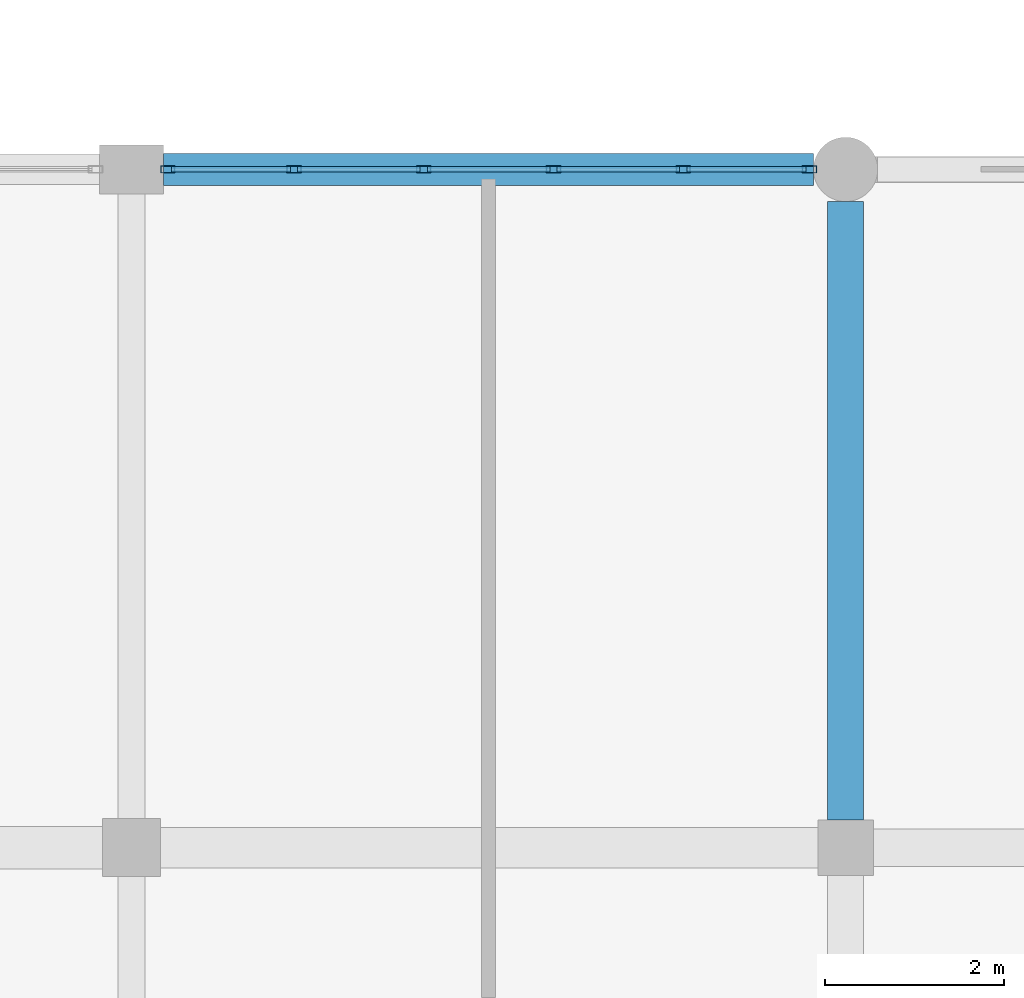
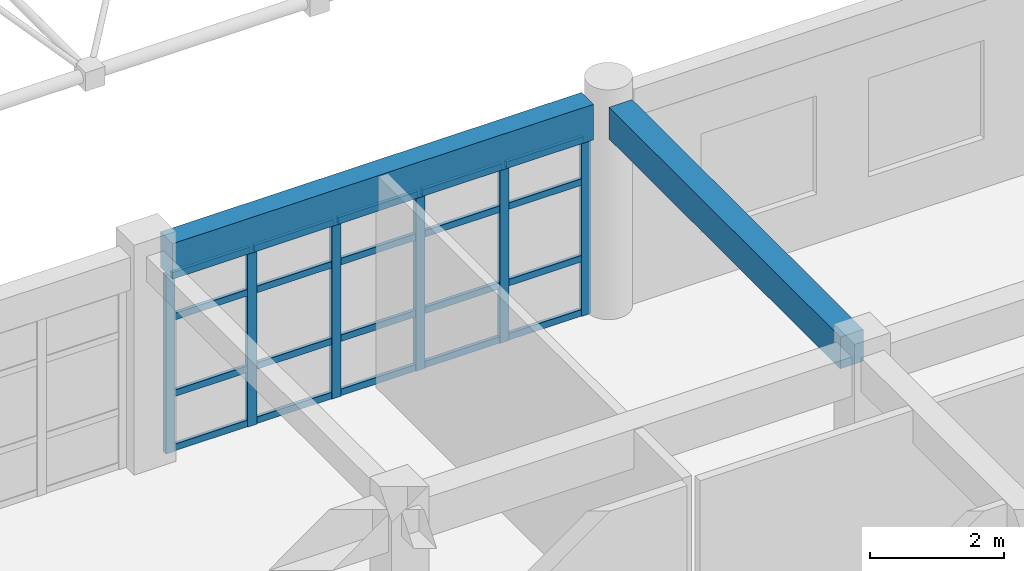
# One storey, part 40 of 195: 26 members, 2 beams, 1 element without a shape of its own.
"""IFC4 building model written with IfcOpenShell, lengths in metres."""

from ifc_helpers import new_model, si_unit, direction, frame, origin, origin_2d, place, context, subcontext, project, spatial, rectangle, hollow_rectangle, extrude, material, material_profile, profile_set, type_object, element, aggregate, save


model = new_model("IFC4")

# Units and contexts
model_context = context("Model", 3, precision=1e-05, world=origin(), true_north=direction((0.0, 1.0)))
body_context = subcontext(model_context, "Body", "Model", "MODEL_VIEW")
ifc_project = project(units=[si_unit("LENGTHUNIT", "METRE"), si_unit("AREAUNIT", "SQUARE_METRE"), si_unit("VOLUMEUNIT", "CUBIC_METRE"), si_unit("PLANEANGLEUNIT", "RADIAN"), si_unit("MASSUNIT", "GRAM", prefix="KILO")], contexts=[model_context])

# Site, building, storey
site_placement = place(None, origin())
site = spatial("IfcSite", under=ifc_project, at=site_placement, CompositionType="ELEMENT")
building_placement = place(site_placement, origin())
building = spatial("IfcBuilding", under=site, at=building_placement, Name="Kharva Crest Polytechnic", CompositionType="ELEMENT")
storey_placement = place(building_placement, frame((0.0, 0.0, 9.0)))
storey = spatial("IfcBuildingStorey", under=building, at=storey_placement, Name="L02", CompositionType="ELEMENT", Elevation=9.0)

# Beam
ifc_material_1 = material(Name="Concrete C35/45", Category="concrete")
ifc_material_profile_1 = material_profile(ifc_material_1, rectangle(XDim=0.39990234375, YDim=0.580078125, at=origin_2d()), Name="RECT 400 X 580")
ifc_profile_set_1 = profile_set([ifc_material_profile_1], Name="Concrete C35/45")
beam_type_1 = type_object("IfcBeamType", Name="BM-RC-400X580", PredefinedType="BEAM", material=ifc_profile_set_1)
beam_1_placement = place(storey_placement, frame((24.0, 23.110107421875, 3.6298828125), z_axis=(0.0, 1.0, 0.0), x_axis=(-1.0, 0.0, 0.0)))
element("IfcBeam", 1, at=beam_1_placement, inside=storey, type_object=beam_type_1, Name="L02 Girder 4/D-E", PredefinedType="BEAM", context=body_context, shape_type="SweptSolid", body=[
    extrude(rectangle(XDim=0.39990234375, YDim=0.580078125, at=origin_2d()), origin(), (0.0, 0.0, 1.0), 6.929931640625),
])

# Curtain wall, members
ifc_material_2 = material(Name="Tempered insulated glass", Category="glass")
curtain_wall_type = type_object("IfcCurtainWallType", Name="CW-SYS-COURT", PredefinedType="USERDEFINED", material=ifc_material_2)
curtain_wall_placement = place(storey_placement, origin())
curtain_wall = element("IfcCurtainWall", 2, at=curtain_wall_placement, inside=storey, type_object=curtain_wall_type, Name="L02 Glazed Curtain Wall CW-089", ObjectType="CURTAIN WALL", PredefinedType="USERDEFINED")
ifc_material_3 = material(Name="Steel S355", Category="steel")
ifc_material_profile_2 = material_profile(ifc_material_3, hollow_rectangle(XDim=0.080078125, YDim=0.159912109375, WallThickness=0.0048828125, at=origin_2d()), Name="RHS 160X80X5.0")
ifc_profile_set_2 = profile_set([ifc_material_profile_2], Name="Steel S355")
member_type_1 = type_object("IfcMemberType", Name="CWM-RHS160X80", PredefinedType="MULLION", material=ifc_profile_set_2)
member_1_placement = place(storey_placement, frame((23.594970703125, 30.39990234375, 0.0), z_axis=(0.0, 0.0, 1.0), x_axis=(0.0, -1.0, 0.0)))
member_1 = element("IfcMember", 3, at=member_1_placement, type_object=member_type_1, Name="CW-089 mullion 1", PredefinedType="MULLION", context=body_context, shape_type="SweptSolid", body=[
    extrude(hollow_rectangle(XDim=0.080078125, YDim=0.159912109375, WallThickness=0.0048828125, at=origin_2d()), origin(), (0.0, 0.0, 1.0), 3.27001953125),
])
member_2_placement = place(storey_placement, frame((22.180908203125, 30.39990234375, 0.0), z_axis=(0.0, 0.0, 1.0), x_axis=(0.0, -1.0, 0.0)))
member_2 = element("IfcMember", 4, at=member_2_placement, type_object=member_type_1, Name="CW-089 mullion 2", PredefinedType="MULLION", context=body_context, shape_type="SweptSolid", body=[
    extrude(hollow_rectangle(XDim=0.080078125, YDim=0.159912109375, WallThickness=0.0048828125, at=origin_2d()), origin(), (0.0, 0.0, 1.0), 3.27001953125),
])
member_3_placement = place(storey_placement, frame((20.72705078125, 30.39990234375, 0.0), z_axis=(0.0, 0.0, 1.0), x_axis=(0.0, -1.0, 0.0)))
member_3 = element("IfcMember", 5, at=member_3_placement, type_object=member_type_1, Name="CW-089 mullion 3", PredefinedType="MULLION", context=body_context, shape_type="SweptSolid", body=[
    extrude(hollow_rectangle(XDim=0.080078125, YDim=0.159912109375, WallThickness=0.0048828125, at=origin_2d()), origin(), (0.0, 0.0, 1.0), 3.27001953125),
])
member_4_placement = place(storey_placement, frame((19.27294921875, 30.39990234375, 0.0), z_axis=(0.0, 0.0, 1.0), x_axis=(0.0, -1.0, 0.0)))
member_4 = element("IfcMember", 6, at=member_4_placement, type_object=member_type_1, Name="CW-089 mullion 4", PredefinedType="MULLION", context=body_context, shape_type="SweptSolid", body=[
    extrude(hollow_rectangle(XDim=0.080078125, YDim=0.159912109375, WallThickness=0.0048828125, at=origin_2d()), origin(), (0.0, 0.0, 1.0), 3.27001953125),
])
member_5_placement = place(storey_placement, frame((17.819091796875, 30.39990234375, 0.0), z_axis=(0.0, 0.0, 1.0), x_axis=(0.0, -1.0, 0.0)))
member_5 = element("IfcMember", 7, at=member_5_placement, type_object=member_type_1, Name="CW-089 mullion 5", PredefinedType="MULLION", context=body_context, shape_type="SweptSolid", body=[
    extrude(hollow_rectangle(XDim=0.080078125, YDim=0.159912109375, WallThickness=0.0048828125, at=origin_2d()), origin(), (0.0, 0.0, 1.0), 3.27001953125),
])
member_6_placement = place(storey_placement, frame((16.405029296875, 30.39990234375, 0.0), z_axis=(0.0, 0.0, 1.0), x_axis=(0.0, -1.0, 0.0)))
member_6 = element("IfcMember", 8, at=member_6_placement, type_object=member_type_1, Name="CW-089 mullion 6", PredefinedType="MULLION", context=body_context, shape_type="SweptSolid", body=[
    extrude(hollow_rectangle(XDim=0.080078125, YDim=0.159912109375, WallThickness=0.0048828125, at=origin_2d()), origin(), (0.0, 0.0, 1.0), 3.27001953125),
])
ifc_material_profile_3 = material_profile(ifc_material_3, hollow_rectangle(XDim=0.06005859375, YDim=0.1201171875, WallThickness=0.00390625, at=origin_2d()), Name="RHS 120X60X4.0")
ifc_profile_set_3 = profile_set([ifc_material_profile_3], Name="Steel S355")
member_type_2 = type_object("IfcMemberType", Name="CWT-RHS120X60", PredefinedType="USERDEFINED", material=ifc_profile_set_3)
member_7_placement = place(storey_placement, frame((23.554931640625, 30.39990234375, 0.06005859375), z_axis=(-1.0, 0.0, 0.0), x_axis=(0.0, -1.0, 0.0)))
member_7 = element("IfcMember", 9, at=member_7_placement, type_object=member_type_2, Name="CW-089 transom 1.1", ObjectType="TRANSOM", PredefinedType="USERDEFINED", context=body_context, shape_type="SweptSolid", body=[
    extrude(hollow_rectangle(XDim=0.06005859375, YDim=0.1201171875, WallThickness=0.00390625, at=origin_2d()), origin(), (0.0, 0.0, 1.0), 1.333984375),
])
member_8_placement = place(storey_placement, frame((23.554931640625, 30.39990234375, 1.050048828125), z_axis=(-1.0, 0.0, 0.0), x_axis=(0.0, -1.0, 0.0)))
member_8 = element("IfcMember", 10, at=member_8_placement, type_object=member_type_2, Name="CW-089 transom 1.2", ObjectType="TRANSOM", PredefinedType="USERDEFINED", context=body_context, shape_type="SweptSolid", body=[
    extrude(hollow_rectangle(XDim=0.06005859375, YDim=0.1201171875, WallThickness=0.00390625, at=origin_2d()), origin(), (0.0, 0.0, 1.0), 1.333984375),
])
member_9_placement = place(storey_placement, frame((23.554931640625, 30.39990234375, 2.449951171875), z_axis=(-1.0, 0.0, 0.0), x_axis=(0.0, -1.0, 0.0)))
member_9 = element("IfcMember", 11, at=member_9_placement, type_object=member_type_2, Name="CW-089 transom 1.3", ObjectType="TRANSOM", PredefinedType="USERDEFINED", context=body_context, shape_type="SweptSolid", body=[
    extrude(hollow_rectangle(XDim=0.06005859375, YDim=0.1201171875, WallThickness=0.00390625, at=origin_2d()), origin(), (0.0, 0.0, 1.0), 1.333984375),
])
member_10_placement = place(storey_placement, frame((23.554931640625, 30.39990234375, 3.2099609375), z_axis=(-1.0, 0.0, 0.0), x_axis=(0.0, -1.0, 0.0)))
member_10 = element("IfcMember", 12, at=member_10_placement, type_object=member_type_2, Name="CW-089 transom 1.4", ObjectType="TRANSOM", PredefinedType="USERDEFINED", context=body_context, shape_type="SweptSolid", body=[
    extrude(hollow_rectangle(XDim=0.06005859375, YDim=0.1201171875, WallThickness=0.00390625, at=origin_2d()), origin(), (0.0, 0.0, 1.0), 1.333984375),
])
member_11_placement = place(storey_placement, frame((22.14111328125, 30.39990234375, 0.06005859375), z_axis=(-1.0, 0.0, 0.0), x_axis=(0.0, -1.0, 0.0)))
member_11 = element("IfcMember", 13, at=member_11_placement, type_object=member_type_2, Name="CW-089 transom 2.1", ObjectType="TRANSOM", PredefinedType="USERDEFINED", context=body_context, shape_type="SweptSolid", body=[
    extrude(hollow_rectangle(XDim=0.06005859375, YDim=0.1201171875, WallThickness=0.00390625, at=origin_2d()), origin(), (0.0, 0.0, 1.0), 1.3740234375),
])
member_12_placement = place(storey_placement, frame((22.14111328125, 30.39990234375, 1.050048828125), z_axis=(-1.0, 0.0, 0.0), x_axis=(0.0, -1.0, 0.0)))
member_12 = element("IfcMember", 14, at=member_12_placement, type_object=member_type_2, Name="CW-089 transom 2.2", ObjectType="TRANSOM", PredefinedType="USERDEFINED", context=body_context, shape_type="SweptSolid", body=[
    extrude(hollow_rectangle(XDim=0.06005859375, YDim=0.1201171875, WallThickness=0.00390625, at=origin_2d()), origin(), (0.0, 0.0, 1.0), 1.3740234375),
])
member_13_placement = place(storey_placement, frame((22.14111328125, 30.39990234375, 2.449951171875), z_axis=(-1.0, 0.0, 0.0), x_axis=(0.0, -1.0, 0.0)))
member_13 = element("IfcMember", 15, at=member_13_placement, type_object=member_type_2, Name="CW-089 transom 2.3", ObjectType="TRANSOM", PredefinedType="USERDEFINED", context=body_context, shape_type="SweptSolid", body=[
    extrude(hollow_rectangle(XDim=0.06005859375, YDim=0.1201171875, WallThickness=0.00390625, at=origin_2d()), origin(), (0.0, 0.0, 1.0), 1.3740234375),
])
member_14_placement = place(storey_placement, frame((22.14111328125, 30.39990234375, 3.2099609375), z_axis=(-1.0, 0.0, 0.0), x_axis=(0.0, -1.0, 0.0)))
member_14 = element("IfcMember", 16, at=member_14_placement, type_object=member_type_2, Name="CW-089 transom 2.4", ObjectType="TRANSOM", PredefinedType="USERDEFINED", context=body_context, shape_type="SweptSolid", body=[
    extrude(hollow_rectangle(XDim=0.06005859375, YDim=0.1201171875, WallThickness=0.00390625, at=origin_2d()), origin(), (0.0, 0.0, 1.0), 1.3740234375),
])
member_15_placement = place(storey_placement, frame((20.68701171875, 30.39990234375, 0.06005859375), z_axis=(-1.0, 0.0, 0.0), x_axis=(0.0, -1.0, 0.0)))
member_15 = element("IfcMember", 17, at=member_15_placement, type_object=member_type_2, Name="CW-089 transom 3.1", ObjectType="TRANSOM", PredefinedType="USERDEFINED", context=body_context, shape_type="SweptSolid", body=[
    extrude(hollow_rectangle(XDim=0.06005859375, YDim=0.1201171875, WallThickness=0.00390625, at=origin_2d()), origin(), (0.0, 0.0, 1.0), 1.3740234375),
])
member_16_placement = place(storey_placement, frame((20.68701171875, 30.39990234375, 1.050048828125), z_axis=(-1.0, 0.0, 0.0), x_axis=(0.0, -1.0, 0.0)))
member_16 = element("IfcMember", 18, at=member_16_placement, type_object=member_type_2, Name="CW-089 transom 3.2", ObjectType="TRANSOM", PredefinedType="USERDEFINED", context=body_context, shape_type="SweptSolid", body=[
    extrude(hollow_rectangle(XDim=0.06005859375, YDim=0.1201171875, WallThickness=0.00390625, at=origin_2d()), origin(), (0.0, 0.0, 1.0), 1.3740234375),
])
member_17_placement = place(storey_placement, frame((20.68701171875, 30.39990234375, 2.449951171875), z_axis=(-1.0, 0.0, 0.0), x_axis=(0.0, -1.0, 0.0)))
member_17 = element("IfcMember", 19, at=member_17_placement, type_object=member_type_2, Name="CW-089 transom 3.3", ObjectType="TRANSOM", PredefinedType="USERDEFINED", context=body_context, shape_type="SweptSolid", body=[
    extrude(hollow_rectangle(XDim=0.06005859375, YDim=0.1201171875, WallThickness=0.00390625, at=origin_2d()), origin(), (0.0, 0.0, 1.0), 1.3740234375),
])
member_18_placement = place(storey_placement, frame((20.68701171875, 30.39990234375, 3.2099609375), z_axis=(-1.0, 0.0, 0.0), x_axis=(0.0, -1.0, 0.0)))
member_18 = element("IfcMember", 20, at=member_18_placement, type_object=member_type_2, Name="CW-089 transom 3.4", ObjectType="TRANSOM", PredefinedType="USERDEFINED", context=body_context, shape_type="SweptSolid", body=[
    extrude(hollow_rectangle(XDim=0.06005859375, YDim=0.1201171875, WallThickness=0.00390625, at=origin_2d()), origin(), (0.0, 0.0, 1.0), 1.3740234375),
])
member_19_placement = place(storey_placement, frame((19.23291015625, 30.39990234375, 0.06005859375), z_axis=(-1.0, 0.0, 0.0), x_axis=(0.0, -1.0, 0.0)))
member_19 = element("IfcMember", 21, at=member_19_placement, type_object=member_type_2, Name="CW-089 transom 4.1", ObjectType="TRANSOM", PredefinedType="USERDEFINED", context=body_context, shape_type="SweptSolid", body=[
    extrude(hollow_rectangle(XDim=0.06005859375, YDim=0.1201171875, WallThickness=0.00390625, at=origin_2d()), origin(), (0.0, 0.0, 1.0), 1.3740234375),
])
member_20_placement = place(storey_placement, frame((19.23291015625, 30.39990234375, 1.050048828125), z_axis=(-1.0, 0.0, 0.0), x_axis=(0.0, -1.0, 0.0)))
member_20 = element("IfcMember", 22, at=member_20_placement, type_object=member_type_2, Name="CW-089 transom 4.2", ObjectType="TRANSOM", PredefinedType="USERDEFINED", context=body_context, shape_type="SweptSolid", body=[
    extrude(hollow_rectangle(XDim=0.06005859375, YDim=0.1201171875, WallThickness=0.00390625, at=origin_2d()), origin(), (0.0, 0.0, 1.0), 1.3740234375),
])
member_21_placement = place(storey_placement, frame((19.23291015625, 30.39990234375, 2.449951171875), z_axis=(-1.0, 0.0, 0.0), x_axis=(0.0, -1.0, 0.0)))
member_21 = element("IfcMember", 23, at=member_21_placement, type_object=member_type_2, Name="CW-089 transom 4.3", ObjectType="TRANSOM", PredefinedType="USERDEFINED", context=body_context, shape_type="SweptSolid", body=[
    extrude(hollow_rectangle(XDim=0.06005859375, YDim=0.1201171875, WallThickness=0.00390625, at=origin_2d()), origin(), (0.0, 0.0, 1.0), 1.3740234375),
])
member_22_placement = place(storey_placement, frame((19.23291015625, 30.39990234375, 3.2099609375), z_axis=(-1.0, 0.0, 0.0), x_axis=(0.0, -1.0, 0.0)))
member_22 = element("IfcMember", 24, at=member_22_placement, type_object=member_type_2, Name="CW-089 transom 4.4", ObjectType="TRANSOM", PredefinedType="USERDEFINED", context=body_context, shape_type="SweptSolid", body=[
    extrude(hollow_rectangle(XDim=0.06005859375, YDim=0.1201171875, WallThickness=0.00390625, at=origin_2d()), origin(), (0.0, 0.0, 1.0), 1.3740234375),
])
member_23_placement = place(storey_placement, frame((17.779052734375, 30.39990234375, 0.06005859375), z_axis=(-1.0, 0.0, 0.0), x_axis=(0.0, -1.0, 0.0)))
member_23 = element("IfcMember", 25, at=member_23_placement, type_object=member_type_2, Name="CW-089 transom 5.1", ObjectType="TRANSOM", PredefinedType="USERDEFINED", context=body_context, shape_type="SweptSolid", body=[
    extrude(hollow_rectangle(XDim=0.06005859375, YDim=0.1201171875, WallThickness=0.00390625, at=origin_2d()), origin(), (0.0, 0.0, 1.0), 1.333984375),
])
member_24_placement = place(storey_placement, frame((17.779052734375, 30.39990234375, 1.050048828125), z_axis=(-1.0, 0.0, 0.0), x_axis=(0.0, -1.0, 0.0)))
member_24 = element("IfcMember", 26, at=member_24_placement, type_object=member_type_2, Name="CW-089 transom 5.2", ObjectType="TRANSOM", PredefinedType="USERDEFINED", context=body_context, shape_type="SweptSolid", body=[
    extrude(hollow_rectangle(XDim=0.06005859375, YDim=0.1201171875, WallThickness=0.00390625, at=origin_2d()), origin(), (0.0, 0.0, 1.0), 1.333984375),
])
member_25_placement = place(storey_placement, frame((17.779052734375, 30.39990234375, 2.449951171875), z_axis=(-1.0, 0.0, 0.0), x_axis=(0.0, -1.0, 0.0)))
member_25 = element("IfcMember", 27, at=member_25_placement, type_object=member_type_2, Name="CW-089 transom 5.3", ObjectType="TRANSOM", PredefinedType="USERDEFINED", context=body_context, shape_type="SweptSolid", body=[
    extrude(hollow_rectangle(XDim=0.06005859375, YDim=0.1201171875, WallThickness=0.00390625, at=origin_2d()), origin(), (0.0, 0.0, 1.0), 1.333984375),
])
member_26_placement = place(storey_placement, frame((17.779052734375, 30.39990234375, 3.2099609375), z_axis=(-1.0, 0.0, 0.0), x_axis=(0.0, -1.0, 0.0)))
member_26 = element("IfcMember", 28, at=member_26_placement, type_object=member_type_2, Name="CW-089 transom 5.4", ObjectType="TRANSOM", PredefinedType="USERDEFINED", context=body_context, shape_type="SweptSolid", body=[
    extrude(hollow_rectangle(XDim=0.06005859375, YDim=0.1201171875, WallThickness=0.00390625, at=origin_2d()), origin(), (0.0, 0.0, 1.0), 1.333984375),
])
aggregate(curtain_wall, [member_1, member_2, member_3, member_4, member_5, member_6, member_7, member_8, member_9, member_10, member_11, member_12, member_13, member_14, member_15, member_16, member_17, member_18, member_19, member_20, member_21, member_22, member_23, member_24, member_25, member_26])

# Beam
ifc_material_profile_4 = material_profile(ifc_material_1, rectangle(XDim=0.360107421875, YDim=0.64990234375, at=origin_2d()), Name="RECT 360 X 650")
ifc_profile_set_4 = profile_set([ifc_material_profile_4], Name="Concrete C35/45")
beam_type_2 = type_object("IfcBeamType", Name="SP-RC-360X650", PredefinedType="SPANDREL", material=ifc_profile_set_4)
beam_2_placement = place(storey_placement, frame((16.360107421875, 30.39990234375, 3.594970703125), z_axis=(1.0, 0.0, 0.0), x_axis=(0.0, 1.0, 0.0)))
element("IfcBeam", 29, at=beam_2_placement, inside=storey, type_object=beam_type_2, Name="L02 Beam E/3-4", PredefinedType="SPANDREL", context=body_context, shape_type="SweptSolid", body=[
    extrude(rectangle(XDim=0.360107421875, YDim=0.64990234375, at=origin_2d()), origin(), (0.0, 0.0, 1.0), 7.27978515625),
])

save(model, "model.ifc")
